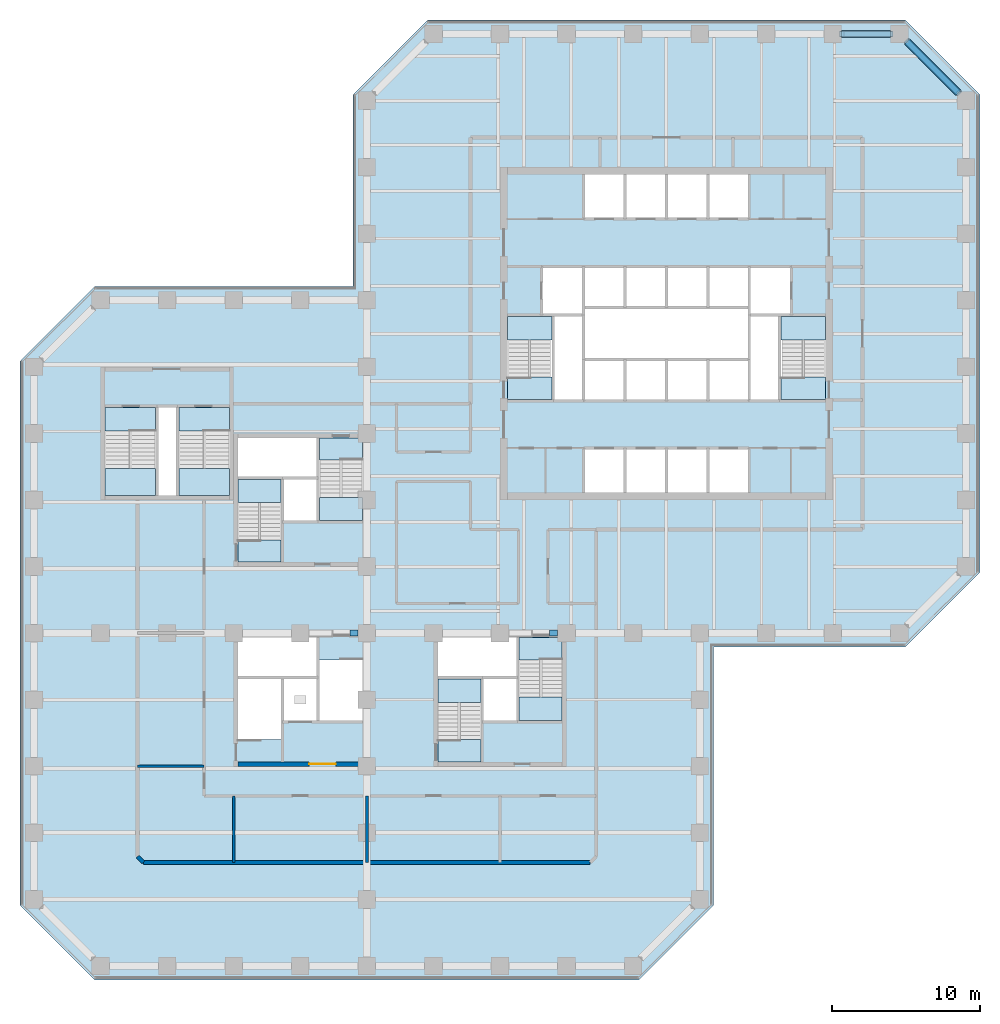
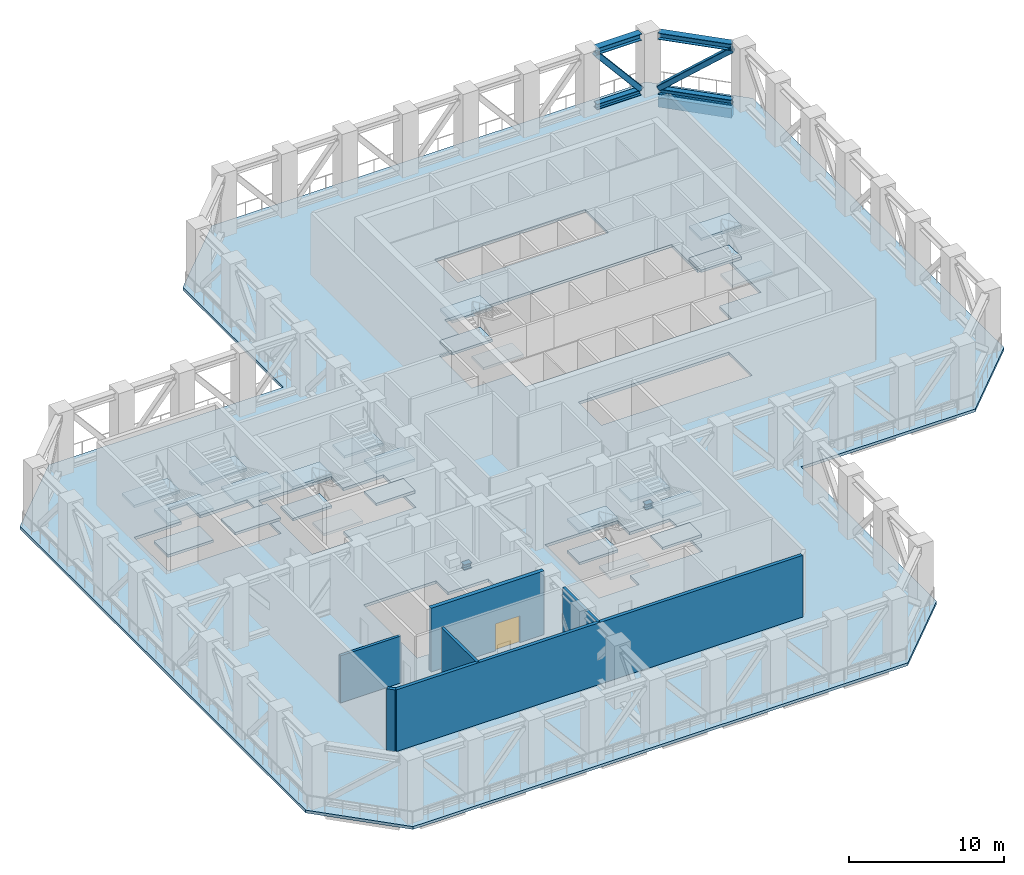
# One storey, part 4 of 16: 25 slabs, 8 members, 6 walls, 1 beam, 1 door, 1 opening, 8 elements without a shape of their own.
"""IFC4 building model written with IfcOpenShell, lengths in metres."""

from ifc_helpers import new_model, si_unit, direction, frame, frame_2d, origin, origin_2d, place, context, subcontext, project, spatial, polyline, rectangle, hollow_rectangle, i_section, outline, extrude, material, layer, layer_set, material_profile, profile_set, type_object, element, fill, aggregate, save


model = new_model("IFC4")

# Units and contexts
model_context = context("Model", 3, precision=1e-05, world=origin(), true_north=direction((0.0, 1.0)))
body_context = subcontext(model_context, "Body", "Model", "MODEL_VIEW")
ifc_project = project(units=[si_unit("LENGTHUNIT", "METRE"), si_unit("AREAUNIT", "SQUARE_METRE"), si_unit("VOLUMEUNIT", "CUBIC_METRE"), si_unit("PLANEANGLEUNIT", "RADIAN"), si_unit("MASSUNIT", "GRAM", prefix="KILO")], contexts=[model_context])

# Site, building, storey
site_placement = place(None, origin())
site = spatial("IfcSite", under=ifc_project, at=site_placement, CompositionType="ELEMENT")
building_placement = place(site_placement, origin())
building = spatial("IfcBuilding", under=site, at=building_placement, Name="Quoin Convention Tower", CompositionType="ELEMENT")
storey_placement = place(building_placement, frame((0.0, 0.0, 69.300048828125)))
storey = spatial("IfcBuildingStorey", under=building, at=storey_placement, Name="L18", CompositionType="ELEMENT", Elevation=69.300048828125)

# Members
ifc_material_1 = material(Name="Steel Grade 300", Category="steel")
ifc_material_profile_1 = material_profile(ifc_material_1, i_section(OverallWidth=0.39990234375, OverallDepth=0.422119140625, WebThickness=0.028076171875, FlangeThickness=0.035888671875, at=origin_2d()), Name="400WC303")
ifc_profile_set_1 = profile_set([ifc_material_profile_1], Name="Steel Grade 300")
member_type_1 = type_object("IfcMemberType", Name="400WC303", PredefinedType="CHORD", material=ifc_profile_set_1)
member_1_placement = place(storey_placement, frame((75.98486328125, 77.01513671875, 0.2109375), z_axis=(-0.707106781187, 0.707106781187, 0.0), x_axis=(-0.707106781187, -0.707106781187, 0.0)))
element("IfcMember", 1, at=member_1_placement, inside=storey, type_object=member_type_1, Name="Belt truss L18 bottom chord 76500_76500-72000_81000", PredefinedType="CHORD", context=body_context, shape_type="SweptSolid", body=[
    extrude(i_section(OverallWidth=0.39990234375, OverallDepth=0.422119140625, WebThickness=0.028076171875, FlangeThickness=0.035888671875, at=origin_2d()), origin(), (0.0, 0.0, 1.0), 4.906982421875),
])
member_2_placement = place(storey_placement, frame((71.39990234375, 81.0, 0.2109375), z_axis=(-1.0, 0.0, 0.0), x_axis=(0.0, -1.0, 0.0)))
element("IfcMember", 2, at=member_2_placement, inside=storey, type_object=member_type_1, Name="Belt truss L18 bottom chord 72000_81000-67500_81000", PredefinedType="CHORD", context=body_context, shape_type="SweptSolid", body=[
    extrude(i_section(OverallWidth=0.39990234375, OverallDepth=0.422119140625, WebThickness=0.028076171875, FlangeThickness=0.035888671875, at=origin_2d()), origin(), (0.0, 0.0, 1.0), 3.2998046875),
])
for number, where, z_axis, x_axis, name in (
    (3, (48.35009765625, 40.5, 0.2109375), (1.0, 0.0, 0.0), (0.0, 1.0, 0.0), "Belt truss L18 bottom chord 45000_40500-49500_40500"),
    (4, (34.85009765625, 40.5, 0.2109375), (1.0, 0.0, 0.0), (0.0, 1.0, 0.0), "Belt truss L18 bottom chord 31500_40500-36000_40500"),
):
    element("IfcMember", number, at=place(storey_placement, frame(where, z_axis=z_axis, x_axis=x_axis)), inside=storey, type_object=member_type_1, Name=name, PredefinedType="CHORD", context=body_context, shape_type="SweptSolid", body=[
        extrude(i_section(OverallWidth=0.39990234375, OverallDepth=0.422119140625, WebThickness=0.028076171875, FlangeThickness=0.035888671875, at=origin_2d()), origin(), (0.0, 0.0, 1.0), 0.5498046875),
    ])
ifc_material_2 = material(Name="Steel C450L0", Category="steel")
ifc_material_profile_2 = material_profile(ifc_material_2, hollow_rectangle(XDim=0.39990234375, YDim=0.39990234375, WallThickness=0.01611328125, InnerFilletRadius=0.02392578125, OuterFilletRadius=0.0400390625, at=origin_2d()), Name="400x400x16.0SHS")
ifc_profile_set_2 = profile_set([ifc_material_profile_2], Name="Steel C450L0")
member_type_2 = type_object("IfcMemberType", Name="400x400x16.0SHS", PredefinedType="BRACE", material=ifc_profile_set_2)
member_3_placement = place(storey_placement, frame((72.51513671875, 80.48486328125, 0.421875), z_axis=(0.552788206144, -0.552788206144, 0.623578702568), x_axis=(0.707106781187, 0.707106781187, 0.0)))
element("IfcMember", 5, at=member_3_placement, inside=storey, type_object=member_type_2, Name="Belt truss L18 diagonal 76500_76500-72000_81000", PredefinedType="BRACE", context=body_context, shape_type="SweptSolid", body=[
    extrude(hollow_rectangle(XDim=0.39990234375, YDim=0.39990234375, WallThickness=0.01611328125, InnerFilletRadius=0.02392578125, OuterFilletRadius=0.0400390625, at=origin_2d()), origin(), (0.0, 0.0, 1.0), 6.27685546875),
])
member_4_placement = place(storey_placement, frame((71.39990234375, 81.0, 0.421875), z_axis=(-0.644564459061, 0.0, 0.764549970973), x_axis=(0.0, -1.0, 0.0)))
element("IfcMember", 6, at=member_4_placement, inside=storey, type_object=member_type_2, Name="Belt truss L18 diagonal 72000_81000-67500_81000", PredefinedType="BRACE", context=body_context, shape_type="SweptSolid", body=[
    extrude(hollow_rectangle(XDim=0.39990234375, YDim=0.39990234375, WallThickness=0.01611328125, InnerFilletRadius=0.02392578125, OuterFilletRadius=0.0400390625, at=origin_2d()), origin(), (0.0, 0.0, 1.0), 5.119384765625),
])
ifc_material_profile_3 = material_profile(ifc_material_1, i_section(OverallWidth=0.5, OverallDepth=0.513916015625, WebThickness=0.02490234375, FlangeThickness=0.031982421875, at=origin_2d()), Name="500WC340")
ifc_profile_set_3 = profile_set([ifc_material_profile_3], Name="Steel Grade 300")
member_type_3 = type_object("IfcMemberType", Name="500WC340", PredefinedType="CHORD", material=ifc_profile_set_3)
member_5_placement = place(storey_placement, frame((75.98486328125, 77.01513671875, 4.593017578125), z_axis=(-0.707106781187, 0.707106781187, 0.0), x_axis=(-0.707106781187, -0.707106781187, 0.0)))
element("IfcMember", 7, at=member_5_placement, inside=storey, type_object=member_type_3, Name="Belt truss L18 top chord 76500_76500-72000_81000", PredefinedType="CHORD", context=body_context, shape_type="SweptSolid", body=[
    extrude(i_section(OverallWidth=0.5, OverallDepth=0.513916015625, WebThickness=0.02490234375, FlangeThickness=0.031982421875, at=origin_2d()), origin(), (0.0, 0.0, 1.0), 4.906982421875),
])
member_6_placement = place(storey_placement, frame((71.39990234375, 81.0, 4.593017578125), z_axis=(-1.0, 0.0, 0.0), x_axis=(0.0, -1.0, 0.0)))
element("IfcMember", 8, at=member_6_placement, inside=storey, type_object=member_type_3, Name="Belt truss L18 top chord 72000_81000-67500_81000", PredefinedType="CHORD", context=body_context, shape_type="SweptSolid", body=[
    extrude(i_section(OverallWidth=0.5, OverallDepth=0.513916015625, WebThickness=0.02490234375, FlangeThickness=0.031982421875, at=origin_2d()), origin(), (0.0, 0.0, 1.0), 3.2998046875),
])

# Beam
ifc_material_3 = material(Name="Concrete C80", Category="concrete")
ifc_material_profile_4 = material_profile(ifc_material_3, rectangle(XDim=0.5, YDim=0.75, at=origin_2d()), Name="RC 500x750")
ifc_profile_set_4 = profile_set([ifc_material_profile_4], Name="Concrete C80")
beam_type = type_object("IfcBeamType", Name="RC 500x750 C80", PredefinedType="SPANDREL", material=ifc_profile_set_4)
beam_placement = place(storey_placement, frame((75.98486328125, 77.01513671875, -0.594970703125), z_axis=(-0.707106781187, 0.707106781187, 0.0), x_axis=(-0.707106781187, -0.707106781187, 0.0)))
element("IfcBeam", 9, at=beam_placement, inside=storey, type_object=beam_type, Name="spd-L18-76500_76500-72000_81000", PredefinedType="SPANDREL", context=body_context, shape_type="SweptSolid", body=[
    extrude(rectangle(XDim=0.5, YDim=0.75, at=origin_2d()), origin(), (0.0, 0.0, 1.0), 4.906982421875),
])

# Slab
ifc_material_4 = material(Name="Concrete C50", Category="concrete")
ifc_layer_1 = layer(ifc_material_4, 0.219970703125)
ifc_layer_set_1 = layer_set([ifc_layer_1], Name="Concrete C50")
slab_type_1 = type_object("IfcSlabType", Name="RC SLAB 220 C50", PredefinedType="FLOOR", material=ifc_layer_set_1)
slab_1_placement = place(storey_placement, frame((0.0, 0.0, -0.219970703125)))
element("IfcSlab", 10, at=slab_1_placement, inside=storey, type_object=slab_type_1, Name="slb-L18", PredefinedType="FLOOR", context=body_context, shape_type="SweptSolid", body=[
    extrude(outline(polyline([(12.550048828125, 58.8935546875), (17.6064453125, 63.949951171875), (35.050048828125, 63.949951171875), (35.050048828125, 76.8935546875), (40.1064453125, 81.949951171875), (72.3935546875, 81.949951171875), (77.449951171875, 76.8935546875), (77.449951171875, 44.6064453125), (72.3935546875, 39.550048828125), (59.449951171875, 39.550048828125), (59.449951171875, 22.1064453125), (54.3935546875, 17.050048828125), (17.6064453125, 17.050048828125), (12.550048828125, 22.1064453125), (12.550048828125, 58.8935546875)]), holes=[polyline([(30.300048828125, 33.300537109375), (30.300048828125, 34.5), (32.699951171875, 34.5), (35.699951171875, 34.5), (35.699951171875, 38.699462890625), (32.699951171875, 38.699462890625), (32.699951171875, 40.199951171875), (27.300048828125, 40.199951171875), (27.300048828125, 37.5), (27.300048828125, 33.300537109375), (30.300048828125, 33.300537109375)]), polyline([(43.800048828125, 33.300537109375), (43.800048828125, 34.5), (46.199951171875, 34.5), (49.199951171875, 34.5), (49.199951171875, 38.699462890625), (46.199951171875, 38.699462890625), (46.199951171875, 40.199951171875), (40.800048828125, 40.199951171875), (40.800048828125, 37.5), (40.800048828125, 33.300537109375), (43.800048828125, 33.300537109375)]), polyline([(27.300048828125, 46.800537109375), (30.300048828125, 46.800537109375), (30.300048828125, 48.0), (32.699951171875, 48.0), (35.699951171875, 48.0), (35.699951171875, 52.199462890625), (32.699951171875, 52.199462890625), (32.699951171875, 53.699951171875), (27.300048828125, 53.699951171875), (27.300048828125, 51.0), (27.300048828125, 46.800537109375)]), polyline([(53.449951171875, 50.0), (56.25, 50.0), (59.050048828125, 50.0), (61.85009765625, 50.0), (61.85009765625, 53.0), (59.050048828125, 53.0), (56.25, 53.0), (53.449951171875, 53.0), (50.64990234375, 53.0), (50.64990234375, 50.0), (53.449951171875, 50.0)]), polyline([(23.199951171875, 49.800048828125), (26.699951171875, 49.800048828125), (26.699951171875, 54.1494140625), (23.199951171875, 54.1494140625), (23.199951171875, 55.85009765625), (21.800048828125, 55.85009765625), (21.800048828125, 54.1494140625), (18.300048828125, 54.1494140625), (18.300048828125, 49.800048828125), (21.800048828125, 49.800048828125), (23.199951171875, 49.800048828125)]), polyline([(45.5, 57.800537109375), (48.60009765625, 57.800537109375), (48.60009765625, 56.199951171875), (50.64990234375, 56.199951171875), (53.449951171875, 56.199951171875), (56.25, 56.199951171875), (59.050048828125, 56.199951171875), (61.85009765625, 56.199951171875), (63.89990234375, 56.199951171875), (63.89990234375, 57.800537109375), (67.0, 57.800537109375), (67.0, 62.0), (64.699951171875, 62.0), (64.699951171875, 65.300048828125), (61.85009765625, 65.300048828125), (59.050048828125, 65.300048828125), (56.25, 65.300048828125), (53.449951171875, 65.300048828125), (50.64990234375, 65.300048828125), (47.800048828125, 65.300048828125), (47.800048828125, 62.0), (45.5, 62.0), (45.5, 57.800537109375)]), polyline([(59.050048828125, 68.5), (61.85009765625, 68.5), (61.85009765625, 71.5), (59.050048828125, 71.5), (56.25, 71.5), (53.449951171875, 71.5), (50.64990234375, 71.5), (50.64990234375, 68.5), (53.449951171875, 68.5), (56.25, 68.5), (59.050048828125, 68.5)])]), origin(), (0.0, 0.0, 1.0), 0.219970703125),
])

# Stair, slabs
ifc_material_5 = material(Name="Concrete C40", Category="concrete")
stair_type_1 = type_object("IfcStairType", Name="Exit stair four-flight 1350", PredefinedType="DOUBLE_RETURN_STAIR", material=ifc_material_5)
stair_1_placement = place(storey_placement, origin())
stair_1 = element("IfcStair", 11, at=stair_1_placement, inside=storey, type_object=stair_type_1, Name="SD1 L18", PredefinedType="DOUBLE_RETURN_STAIR")
ifc_layer_2 = layer(ifc_material_5, 0.199951171875)
ifc_layer_set_2 = layer_set([ifc_layer_2], Name="Concrete C40")
slab_type_2 = type_object("IfcSlabType", Name="Stair landing 200", PredefinedType="LANDING", material=ifc_layer_set_2)
slab_2_placement = place(storey_placement, frame((0.0, 0.0, 1.050048828125)))
slab_2 = element("IfcSlab", 12, at=slab_2_placement, type_object=slab_type_2, Name="ST1 landing 1", PredefinedType="LANDING", context=body_context, shape_type="SweptSolid", body=[
    extrude(outline(polyline([(45.5, 60.320068359375), (48.5, 60.320068359375), (48.5, 61.89990234375), (45.5, 61.89990234375), (45.5, 60.320068359375)])), origin(), (0.0, 0.0, 1.0), 0.199951171875),
])
slab_3_placement = place(storey_placement, frame((0.0, 0.0, 2.300048828125)))
slab_3 = element("IfcSlab", 13, at=slab_3_placement, type_object=slab_type_2, Name="ST1 landing 2", PredefinedType="LANDING", context=body_context, shape_type="SweptSolid", body=[
    extrude(outline(polyline([(45.5, 56.300048828125), (48.5, 56.300048828125), (48.5, 57.800048828125), (45.5, 57.800048828125), (45.5, 56.300048828125)])), origin(), (0.0, 0.0, 1.0), 0.199951171875),
])
slab_4_placement = place(storey_placement, frame((0.0, 0.0, 3.550048828125)))
slab_4 = element("IfcSlab", 14, at=slab_4_placement, type_object=slab_type_2, Name="ST1 landing 3", PredefinedType="LANDING", context=body_context, shape_type="SweptSolid", body=[
    extrude(outline(polyline([(45.5, 60.320068359375), (48.5, 60.320068359375), (48.5, 61.89990234375), (45.5, 61.89990234375), (45.5, 60.320068359375)])), origin(), (0.0, 0.0, 1.0), 0.199951171875),
])
aggregate(stair_1, [slab_2, slab_3, slab_4])

stair_2_placement = place(storey_placement, origin())
stair_2 = element("IfcStair", 15, at=stair_2_placement, inside=storey, type_object=stair_type_1, Name="SD2 L18", PredefinedType="DOUBLE_RETURN_STAIR")
slab_5_placement = place(storey_placement, frame((0.0, 0.0, 1.050048828125)))
slab_5 = element("IfcSlab", 16, at=slab_5_placement, type_object=slab_type_2, Name="ST2 landing 1", PredefinedType="LANDING", context=body_context, shape_type="SweptSolid", body=[
    extrude(outline(polyline([(64.0, 60.320068359375), (67.0, 60.320068359375), (67.0, 61.89990234375), (64.0, 61.89990234375), (64.0, 60.320068359375)])), origin(), (0.0, 0.0, 1.0), 0.199951171875),
])
slab_6_placement = place(storey_placement, frame((0.0, 0.0, 2.300048828125)))
slab_6 = element("IfcSlab", 17, at=slab_6_placement, type_object=slab_type_2, Name="ST2 landing 2", PredefinedType="LANDING", context=body_context, shape_type="SweptSolid", body=[
    extrude(outline(polyline([(64.0, 56.300048828125), (67.0, 56.300048828125), (67.0, 57.800048828125), (64.0, 57.800048828125), (64.0, 56.300048828125)])), origin(), (0.0, 0.0, 1.0), 0.199951171875),
])
slab_7_placement = place(storey_placement, frame((0.0, 0.0, 3.550048828125)))
slab_7 = element("IfcSlab", 18, at=slab_7_placement, type_object=slab_type_2, Name="ST2 landing 3", PredefinedType="LANDING", context=body_context, shape_type="SweptSolid", body=[
    extrude(outline(polyline([(64.0, 60.320068359375), (67.0, 60.320068359375), (67.0, 61.89990234375), (64.0, 61.89990234375), (64.0, 60.320068359375)])), origin(), (0.0, 0.0, 1.0), 0.199951171875),
])
aggregate(stair_2, [slab_5, slab_6, slab_7])

stair_3_placement = place(storey_placement, origin())
stair_3 = element("IfcStair", 19, at=stair_3_placement, inside=storey, type_object=stair_type_1, Name="SD3 L18", PredefinedType="DOUBLE_RETURN_STAIR")
slab_8_placement = place(storey_placement, frame((0.0, 0.0, 1.050048828125)))
slab_8 = element("IfcSlab", 20, at=slab_8_placement, type_object=slab_type_2, Name="ST3 landing 1", PredefinedType="LANDING", context=body_context, shape_type="SweptSolid", body=[
    extrude(outline(polyline([(27.300048828125, 49.320068359375), (30.199951171875, 49.320068359375), (30.199951171875, 50.89990234375), (27.300048828125, 50.89990234375), (27.300048828125, 49.320068359375)])), origin(), (0.0, 0.0, 1.0), 0.199951171875),
])
slab_9_placement = place(storey_placement, frame((0.0, 0.0, 2.300048828125)))
slab_9 = element("IfcSlab", 21, at=slab_9_placement, type_object=slab_type_2, Name="ST3 landing 2", PredefinedType="LANDING", context=body_context, shape_type="SweptSolid", body=[
    extrude(outline(polyline([(27.300048828125, 45.300048828125), (30.199951171875, 45.300048828125), (30.199951171875, 46.800048828125), (27.300048828125, 46.800048828125), (27.300048828125, 45.300048828125)])), origin(), (0.0, 0.0, 1.0), 0.199951171875),
])
slab_10_placement = place(storey_placement, frame((0.0, 0.0, 3.550048828125)))
slab_10 = element("IfcSlab", 22, at=slab_10_placement, type_object=slab_type_2, Name="ST3 landing 3", PredefinedType="LANDING", context=body_context, shape_type="SweptSolid", body=[
    extrude(outline(polyline([(27.300048828125, 49.320068359375), (30.199951171875, 49.320068359375), (30.199951171875, 50.89990234375), (27.300048828125, 50.89990234375), (27.300048828125, 49.320068359375)])), origin(), (0.0, 0.0, 1.0), 0.199951171875),
])
aggregate(stair_3, [slab_8, slab_9, slab_10])

stair_4_placement = place(storey_placement, origin())
stair_4 = element("IfcStair", 23, at=stair_4_placement, inside=storey, type_object=stair_type_1, Name="SD4 L18", PredefinedType="DOUBLE_RETURN_STAIR")
slab_11_placement = place(storey_placement, frame((0.0, 0.0, 1.050048828125)))
slab_11 = element("IfcSlab", 24, at=slab_11_placement, type_object=slab_type_2, Name="ST4 landing 1", PredefinedType="LANDING", context=body_context, shape_type="SweptSolid", body=[
    extrude(outline(polyline([(35.699951171875, 49.679931640625), (32.800048828125, 49.679931640625), (32.800048828125, 48.10009765625), (35.699951171875, 48.10009765625), (35.699951171875, 49.679931640625)])), origin(), (0.0, 0.0, 1.0), 0.199951171875),
])
slab_12_placement = place(storey_placement, frame((0.0, 0.0, 2.300048828125)))
slab_12 = element("IfcSlab", 25, at=slab_12_placement, type_object=slab_type_2, Name="ST4 landing 2", PredefinedType="LANDING", context=body_context, shape_type="SweptSolid", body=[
    extrude(outline(polyline([(35.699951171875, 53.699951171875), (32.800048828125, 53.699951171875), (32.800048828125, 52.199951171875), (35.699951171875, 52.199951171875), (35.699951171875, 53.699951171875)])), origin(), (0.0, 0.0, 1.0), 0.199951171875),
])
slab_13_placement = place(storey_placement, frame((0.0, 0.0, 3.550048828125)))
slab_13 = element("IfcSlab", 26, at=slab_13_placement, type_object=slab_type_2, Name="ST4 landing 3", PredefinedType="LANDING", context=body_context, shape_type="SweptSolid", body=[
    extrude(outline(polyline([(35.699951171875, 49.679931640625), (32.800048828125, 49.679931640625), (32.800048828125, 48.10009765625), (35.699951171875, 48.10009765625), (35.699951171875, 49.679931640625)])), origin(), (0.0, 0.0, 1.0), 0.199951171875),
])
aggregate(stair_4, [slab_11, slab_12, slab_13])

stair_5_placement = place(storey_placement, origin())
stair_5 = element("IfcStair", 27, at=stair_5_placement, inside=storey, type_object=stair_type_1, Name="SD5 L18", PredefinedType="DOUBLE_RETURN_STAIR")
slab_14_placement = place(storey_placement, frame((0.0, 0.0, 1.050048828125)))
slab_14 = element("IfcSlab", 28, at=slab_14_placement, type_object=slab_type_2, Name="ST5 landing 1", PredefinedType="LANDING", context=body_context, shape_type="SweptSolid", body=[
    extrude(outline(polyline([(40.800048828125, 35.820068359375), (43.699951171875, 35.820068359375), (43.699951171875, 37.39990234375), (40.800048828125, 37.39990234375), (40.800048828125, 35.820068359375)])), origin(), (0.0, 0.0, 1.0), 0.199951171875),
])
slab_15_placement = place(storey_placement, frame((0.0, 0.0, 2.300048828125)))
slab_15 = element("IfcSlab", 29, at=slab_15_placement, type_object=slab_type_2, Name="ST5 landing 2", PredefinedType="LANDING", context=body_context, shape_type="SweptSolid", body=[
    extrude(outline(polyline([(40.800048828125, 31.800048828125), (43.699951171875, 31.800048828125), (43.699951171875, 33.300048828125), (40.800048828125, 33.300048828125), (40.800048828125, 31.800048828125)])), origin(), (0.0, 0.0, 1.0), 0.199951171875),
])
slab_16_placement = place(storey_placement, frame((0.0, 0.0, 3.550048828125)))
slab_16 = element("IfcSlab", 30, at=slab_16_placement, type_object=slab_type_2, Name="ST5 landing 3", PredefinedType="LANDING", context=body_context, shape_type="SweptSolid", body=[
    extrude(outline(polyline([(40.800048828125, 35.820068359375), (43.699951171875, 35.820068359375), (43.699951171875, 37.39990234375), (40.800048828125, 37.39990234375), (40.800048828125, 35.820068359375)])), origin(), (0.0, 0.0, 1.0), 0.199951171875),
])
aggregate(stair_5, [slab_14, slab_15, slab_16])

stair_6_placement = place(storey_placement, origin())
stair_6 = element("IfcStair", 31, at=stair_6_placement, inside=storey, type_object=stair_type_1, Name="SD6 L18", PredefinedType="DOUBLE_RETURN_STAIR")
slab_17_placement = place(storey_placement, frame((0.0, 0.0, 1.050048828125)))
slab_17 = element("IfcSlab", 32, at=slab_17_placement, type_object=slab_type_2, Name="ST6 landing 1", PredefinedType="LANDING", context=body_context, shape_type="SweptSolid", body=[
    extrude(outline(polyline([(49.199951171875, 36.179931640625), (46.300048828125, 36.179931640625), (46.300048828125, 34.60009765625), (49.199951171875, 34.60009765625), (49.199951171875, 36.179931640625)])), origin(), (0.0, 0.0, 1.0), 0.199951171875),
])
slab_18_placement = place(storey_placement, frame((0.0, 0.0, 2.300048828125)))
slab_18 = element("IfcSlab", 33, at=slab_18_placement, type_object=slab_type_2, Name="ST6 landing 2", PredefinedType="LANDING", context=body_context, shape_type="SweptSolid", body=[
    extrude(outline(polyline([(49.199951171875, 40.199951171875), (46.300048828125, 40.199951171875), (46.300048828125, 38.699951171875), (49.199951171875, 38.699951171875), (49.199951171875, 40.199951171875)])), origin(), (0.0, 0.0, 1.0), 0.199951171875),
])
slab_19_placement = place(storey_placement, frame((0.0, 0.0, 3.550048828125)))
slab_19 = element("IfcSlab", 34, at=slab_19_placement, type_object=slab_type_2, Name="ST6 landing 3", PredefinedType="LANDING", context=body_context, shape_type="SweptSolid", body=[
    extrude(outline(polyline([(49.199951171875, 36.179931640625), (46.300048828125, 36.179931640625), (46.300048828125, 34.60009765625), (49.199951171875, 34.60009765625), (49.199951171875, 36.179931640625)])), origin(), (0.0, 0.0, 1.0), 0.199951171875),
])
aggregate(stair_6, [slab_17, slab_18, slab_19])

stair_type_2 = type_object("IfcStairType", Name="Exit stair four-flight 1600", PredefinedType="DOUBLE_RETURN_STAIR", material=ifc_material_5)
stair_7_placement = place(storey_placement, origin())
stair_7 = element("IfcStair", 35, at=stair_7_placement, inside=storey, type_object=stair_type_2, Name="SD11 L18", PredefinedType="DOUBLE_RETURN_STAIR")
slab_20_placement = place(storey_placement, frame((0.0, 0.0, 1.050048828125)))
slab_20 = element("IfcSlab", 36, at=slab_20_placement, type_object=slab_type_2, Name="ST11 landing 1", PredefinedType="LANDING", context=body_context, shape_type="SweptSolid", body=[
    extrude(outline(polyline([(21.699951171875, 51.6298828125), (18.300048828125, 51.6298828125), (18.300048828125, 49.800048828125), (21.699951171875, 49.800048828125), (21.699951171875, 51.6298828125)])), origin(), (0.0, 0.0, 1.0), 0.199951171875),
])
slab_21_placement = place(storey_placement, frame((0.0, 0.0, 2.300048828125)))
slab_21 = element("IfcSlab", 37, at=slab_21_placement, type_object=slab_type_2, Name="ST11 landing 2", PredefinedType="LANDING", context=body_context, shape_type="SweptSolid", body=[
    extrude(outline(polyline([(21.699951171875, 55.75), (18.300048828125, 55.75), (18.300048828125, 54.14990234375), (21.699951171875, 54.14990234375), (21.699951171875, 55.75)])), origin(), (0.0, 0.0, 1.0), 0.199951171875),
])
slab_22_placement = place(storey_placement, frame((0.0, 0.0, 3.550048828125)))
slab_22 = element("IfcSlab", 38, at=slab_22_placement, type_object=slab_type_2, Name="ST11 landing 3", PredefinedType="LANDING", context=body_context, shape_type="SweptSolid", body=[
    extrude(outline(polyline([(21.699951171875, 51.6298828125), (18.300048828125, 51.6298828125), (18.300048828125, 49.800048828125), (21.699951171875, 49.800048828125), (21.699951171875, 51.6298828125)])), origin(), (0.0, 0.0, 1.0), 0.199951171875),
])
aggregate(stair_7, [slab_20, slab_21, slab_22])

stair_8_placement = place(storey_placement, origin())
stair_8 = element("IfcStair", 39, at=stair_8_placement, inside=storey, type_object=stair_type_2, Name="SD12 L18", PredefinedType="DOUBLE_RETURN_STAIR")
slab_23_placement = place(storey_placement, frame((0.0, 0.0, 1.050048828125)))
slab_23 = element("IfcSlab", 40, at=slab_23_placement, type_object=slab_type_2, Name="ST12 landing 1", PredefinedType="LANDING", context=body_context, shape_type="SweptSolid", body=[
    extrude(outline(polyline([(26.699951171875, 51.6298828125), (23.300048828125, 51.6298828125), (23.300048828125, 49.800048828125), (26.699951171875, 49.800048828125), (26.699951171875, 51.6298828125)])), origin(), (0.0, 0.0, 1.0), 0.199951171875),
])
slab_24_placement = place(storey_placement, frame((0.0, 0.0, 2.300048828125)))
slab_24 = element("IfcSlab", 41, at=slab_24_placement, type_object=slab_type_2, Name="ST12 landing 2", PredefinedType="LANDING", context=body_context, shape_type="SweptSolid", body=[
    extrude(outline(polyline([(26.699951171875, 55.75), (23.300048828125, 55.75), (23.300048828125, 54.14990234375), (26.699951171875, 54.14990234375), (26.699951171875, 55.75)])), origin(), (0.0, 0.0, 1.0), 0.199951171875),
])
slab_25_placement = place(storey_placement, frame((0.0, 0.0, 3.550048828125)))
slab_25 = element("IfcSlab", 42, at=slab_25_placement, type_object=slab_type_2, Name="ST12 landing 3", PredefinedType="LANDING", context=body_context, shape_type="SweptSolid", body=[
    extrude(outline(polyline([(26.699951171875, 51.6298828125), (23.300048828125, 51.6298828125), (23.300048828125, 49.800048828125), (26.699951171875, 49.800048828125), (26.699951171875, 51.6298828125)])), origin(), (0.0, 0.0, 1.0), 0.199951171875),
])
aggregate(stair_8, [slab_23, slab_24, slab_25])

# Wall, opening, door
ifc_layer_3 = layer(ifc_material_3, 0.300048828125)
ifc_layer_set_3 = layer_set([ifc_layer_3], Name="Concrete C80")
wall_type_1 = type_object("IfcWallType", Name="RC CORE WALL 300 C80", PredefinedType="SHEAR", material=ifc_layer_set_3)
wall_1_placement = place(storey_placement, frame((27.300048828125, 31.64990234375, 0.0), z_axis=(0.0, 0.0, 1.0), x_axis=(1.0, 0.0, 0.0)))
wall_1 = element("IfcWall", 43, at=wall_1_placement, inside=storey, type_object=wall_type_1, Name="cwl-P4-L18-S", PredefinedType="SHEAR", context=body_context, shape_type="SweptSolid", body=[
    extrude(rectangle(XDim=8.39990234375, YDim=0.300048828125, at=frame_2d((4.199951171875, 0.0))), origin(), (0.0, 0.0, 1.0), 5.0),
])
opening_placement = place(wall_1_placement, frame((4.800048828125, 0.0, 0.0)))
opening = element("IfcOpeningElement", 44, at=opening_placement, cuts=wall_1, Name="Opening DCV0-62", PredefinedType="OPENING", context=body_context, shape_type="SweptSolid", body=[
    extrude(rectangle(XDim=1.800048828125, YDim=2.10009765625, at=frame_2d((0.89990234375, 1.050048828125))), frame((0.0, 0.159912109375, 0.0), z_axis=(0.0, -1.0, 0.0), x_axis=(1.0, 0.0, 0.0)), (0.0, 0.0, 1.0), 0.320068359375),
])
ifc_material_6 = material(Name="Steel door leaf", Category="steel")
door_type = type_object("IfcDoorType", Name="Goods lobby door 1800 x 2100", OperationType="SINGLE_SWING_LEFT", PredefinedType="DOOR", material=ifc_material_6)
door_placement = place(opening_placement, origin())
door = element("IfcDoor", 45, at=door_placement, inside=storey, type_object=door_type, Name="cd-P4-L18-R2-S", OperationType="SINGLE_SWING_LEFT", OverallHeight=2.10009765625, OverallWidth=1.800048828125, PredefinedType="DOOR", context=body_context, shape_type="SweptSolid", body=[
    extrude(rectangle(XDim=1.800048828125, YDim=2.10009765625, at=frame_2d((0.89990234375, 1.050048828125))), frame((0.0, 0.02490234375, 0.0), z_axis=(0.0, -1.0, 0.0), x_axis=(1.0, 0.0, 0.0)), (0.0, 0.0, 1.0), 0.050048828125),
])
fill(opening, door)

# Walls
ifc_material_7 = material(Name="Plasterboard")
ifc_layer_4 = layer(ifc_material_7, 0.012451171875, Name="Finish")
ifc_material_8 = material(Name="Steel stud framing", Category="steel")
ifc_layer_5 = layer(ifc_material_8, 0.175048828125, Name="Structure")
ifc_layer_6 = layer(ifc_material_7, 0.012451171875, Name="Finish")
ifc_layer_set_4 = layer_set([ifc_layer_4, ifc_layer_5, ifc_layer_6], Name="Steel stud framing")
wall_type_2 = type_object("IfcWallType", Name="plant room wall", PredefinedType="PARTITIONING", material=ifc_layer_set_4)
for number, where, z_axis, x_axis, name in (
    (46, (27.0, 25.0, 0.0), (0.0, 0.0, 1.0), (0.0, 1.0, 0.0), "pw-L18-012"),
    (47, (36.0, 25.0, 0.0), (0.0, 0.0, 1.0), (0.0, 1.0, 0.0), "pw-L18-013"),
):
    element("IfcWall", number, at=place(storey_placement, frame(where, z_axis=z_axis, x_axis=x_axis)), inside=storey, type_object=wall_type_2, Name=name, PredefinedType="PARTITIONING", context=body_context, shape_type="SweptSolid", body=[
        extrude(rectangle(XDim=4.5, YDim=0.199951171875, at=frame_2d((2.25, 0.0))), origin(), (0.0, 0.0, 1.0), 4.849853515625),
    ])
ifc_layer_7 = layer(ifc_material_7, 0.012451171875, Name="Finish")
ifc_layer_8 = layer(ifc_material_8, 0.175048828125, Name="Structure")
ifc_layer_9 = layer(ifc_material_7, 0.012451171875, Name="Finish")
ifc_layer_set_5 = layer_set([ifc_layer_7, ifc_layer_8, ifc_layer_9], Name="Steel stud framing")
wall_type_3 = type_object("IfcWallType", Name="plant room wall under beam 1150", PredefinedType="PARTITIONING", material=ifc_layer_set_5)
wall_2_placement = place(storey_placement, frame((20.5, 31.5, 0.0), z_axis=(0.0, 0.0, 1.0), x_axis=(1.0, 0.0, 0.0)))
element("IfcWall", 48, at=wall_2_placement, inside=storey, type_object=wall_type_3, Name="pw-L18-017", PredefinedType="PARTITIONING", context=body_context, shape_type="SweptSolid", body=[
    extrude(rectangle(XDim=4.5, YDim=0.199951171875, at=frame_2d((2.25, 0.0))), origin(), (0.0, 0.0, 1.0), 3.699951171875),
])
ifc_layer_10 = layer(ifc_material_7, 0.012451171875, Name="Finish")
ifc_layer_11 = layer(ifc_material_8, 0.22509765625, Name="Structure")
ifc_layer_12 = layer(ifc_material_7, 0.012451171875, Name="Finish")
ifc_layer_set_6 = layer_set([ifc_layer_10, ifc_layer_11, ifc_layer_12], Name="Steel stud framing")
wall_type_4 = type_object("IfcWallType", Name="refuge enclosure wall", PredefinedType="PARTITIONING", material=ifc_layer_set_6)
wall_3_placement = place(storey_placement, frame((20.89892578125, 25.0, 0.0), z_axis=(0.0, 0.0, 1.0), x_axis=(1.0, 0.0, 0.0)))
element("IfcWall", 49, at=wall_3_placement, inside=storey, type_object=wall_type_4, Name="pw-L18-001", PredefinedType="PARTITIONING", context=body_context, shape_type="SweptSolid", body=[
    extrude(rectangle(XDim=30.2021484375, YDim=0.25, at=frame_2d((15.10107421875, 0.0))), origin(), (0.0, 0.0, 1.0), 4.849853515625),
])
wall_4_placement = place(storey_placement, frame((20.5, 25.39892578125, 0.0), z_axis=(0.0, 0.0, 1.0), x_axis=(0.707106781187, -0.707106781187, 0.0)))
element("IfcWall", 50, at=wall_4_placement, inside=storey, type_object=wall_type_4, Name="pw-L18-003", PredefinedType="PARTITIONING", context=body_context, shape_type="SweptSolid", body=[
    extrude(rectangle(XDim=0.564208984375, YDim=0.25, at=frame_2d((0.2822265625, 0.0))), origin(), (0.0, 0.0, 1.0), 4.849853515625),
])

save(model, "model.ifc")
